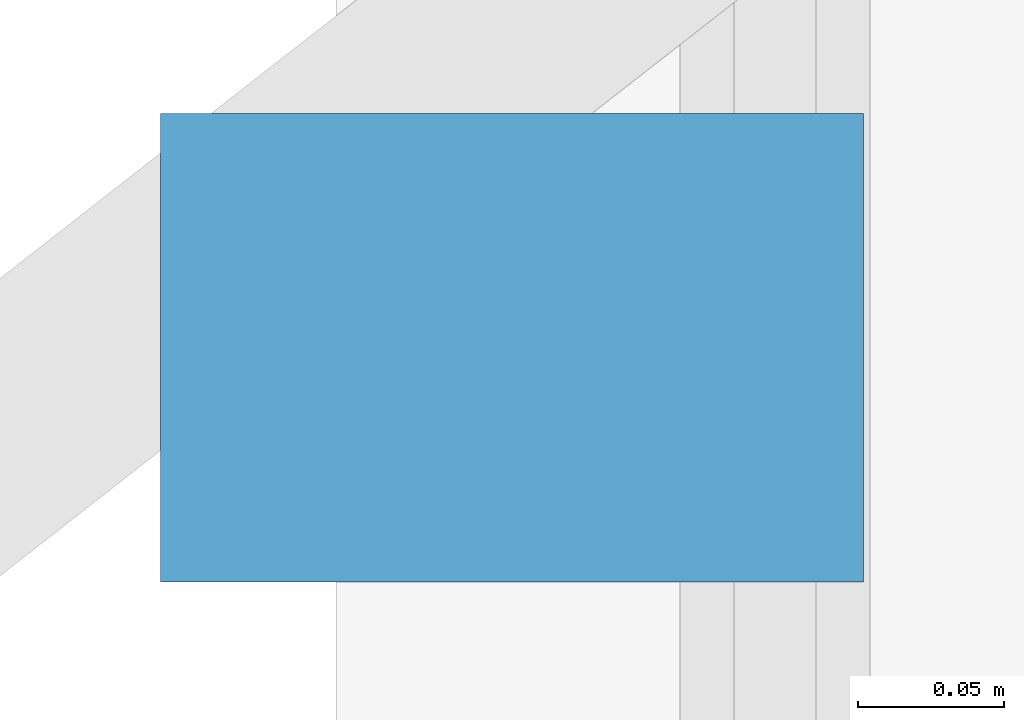
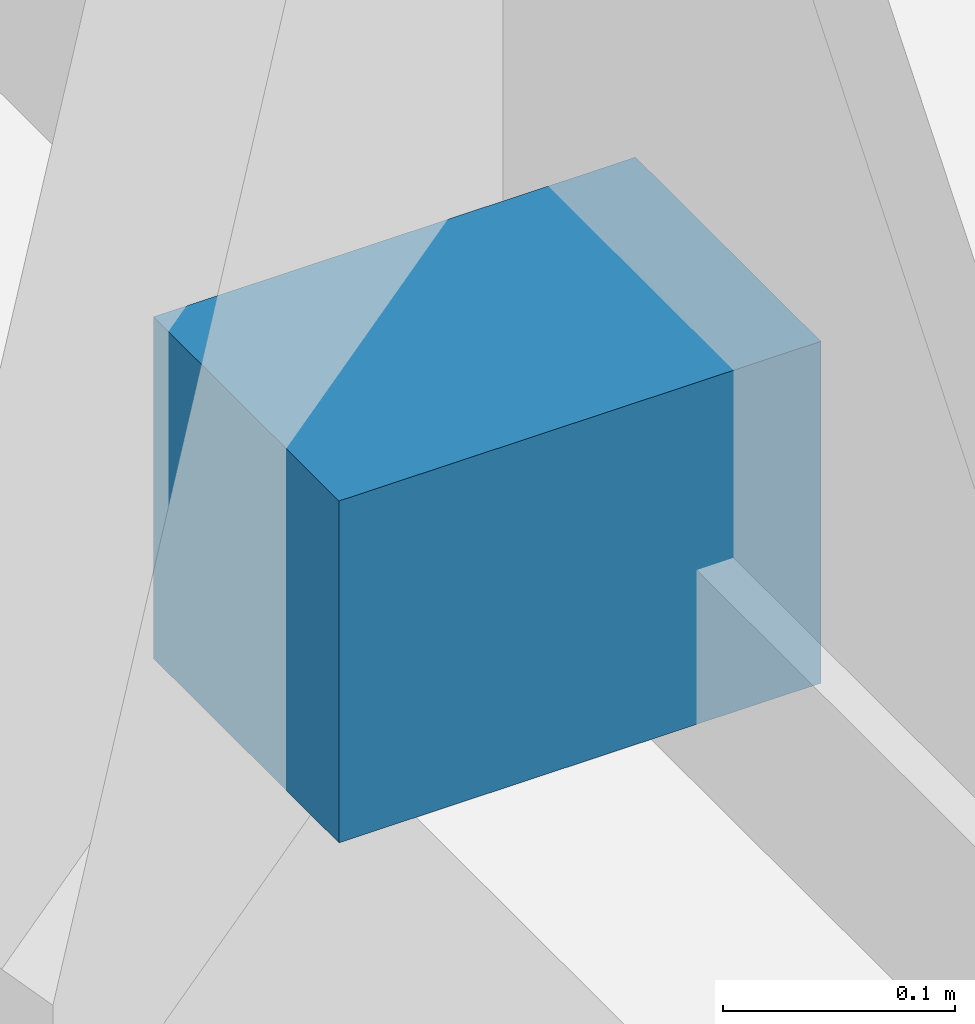
# One storey, part 27 of 29: 1 discrete accessory.
"""IFC4 building model written with IfcOpenShell, lengths in metres."""

from ifc_helpers import new_model, si_unit, direction, frame, origin, origin_2d, place, context, subcontext, project, spatial, rectangle, extrude, material, type_object, element, save


model = new_model("IFC4")

# Units and contexts
model_context = context("Model", 3, precision=1e-05, world=origin(), true_north=direction((0.0, 1.0)))
body_context = subcontext(model_context, "Body", "Model", "MODEL_VIEW")
ifc_project = project(units=[si_unit("LENGTHUNIT", "METRE"), si_unit("AREAUNIT", "SQUARE_METRE"), si_unit("VOLUMEUNIT", "CUBIC_METRE"), si_unit("PLANEANGLEUNIT", "RADIAN"), si_unit("MASSUNIT", "GRAM", prefix="KILO")], contexts=[model_context])

# Site, building, storey
site_placement = place(None, origin())
site = spatial("IfcSite", under=ifc_project, at=site_placement, CompositionType="ELEMENT")
building_placement = place(site_placement, origin())
building = spatial("IfcBuilding", under=site, at=building_placement, Name="Calvorn Quay Hotel", CompositionType="ELEMENT")
storey_placement = place(building_placement, frame((0.0, 0.0, 85.0)))
storey = spatial("IfcBuildingStorey", under=building, at=storey_placement, Name="L20", CompositionType="ELEMENT", Elevation=85.0)

# Discrete accessory
ifc_material = material(Name="Steel Q355B", Category="steel")
discrete_accessory_type = type_object("IfcDiscreteAccessoryType", Name="ACC-FIN-BRACKET", PredefinedType="BRACKET", material=ifc_material)
discrete_accessory_placement = place(storey_placement, frame((0.06005859375, 37.25, 0.0302734375), z_axis=(0.0, 0.0, 1.0), x_axis=(1.0, 0.0, 0.0)))
element("IfcDiscreteAccessory", 1, at=discrete_accessory_placement, inside=storey, type_object=discrete_accessory_type, Name="Fin Anchor Bracket L20-W03", PredefinedType="BRACKET", context=body_context, shape_type="SweptSolid", body=[
    extrude(rectangle(XDim=0.239990234375, YDim=0.159912109375, at=origin_2d()), origin(), (0.0, 0.0, 1.0), 0.179931640625),
])

save(model, "model.ifc")
